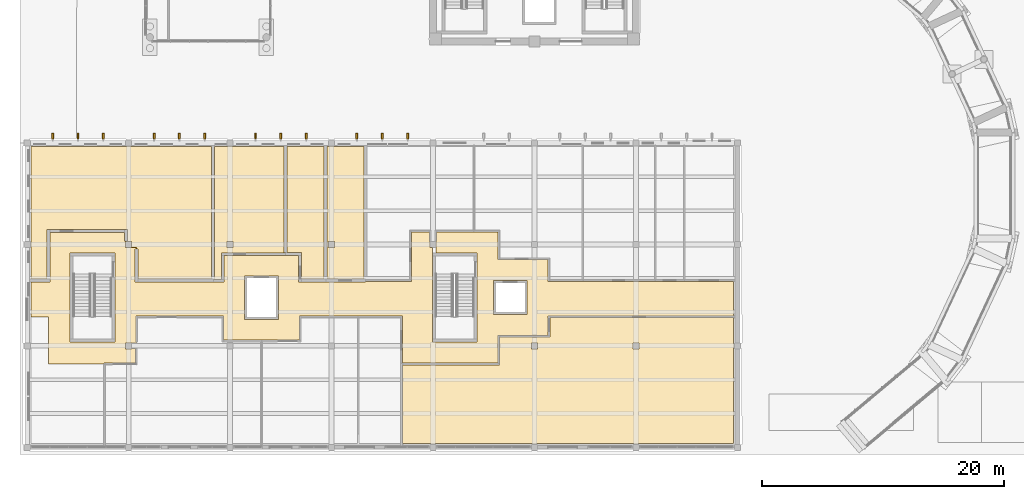
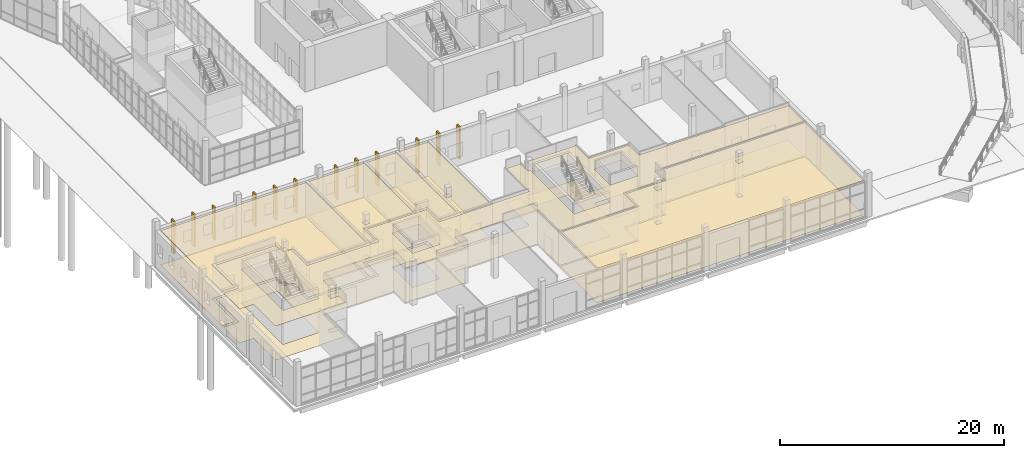
# One storey, part 79 of 110: 24 coverings.
"""IFC4 building model written with IfcOpenShell, lengths in metres."""

from ifc_helpers import new_model, si_unit, direction, frame, origin, place, context, subcontext, project, spatial, polyline, outline, extrude, material, layer, layer_set, type_object, element, save


model = new_model("IFC4")

# Units and contexts
model_context = context("Model", 3, precision=1e-05, world=origin(), true_north=direction((0.0, 1.0)))
body_context = subcontext(model_context, "Body", "Model", "MODEL_VIEW")
ifc_project = project(units=[si_unit("LENGTHUNIT", "METRE"), si_unit("AREAUNIT", "SQUARE_METRE"), si_unit("VOLUMEUNIT", "CUBIC_METRE"), si_unit("PLANEANGLEUNIT", "RADIAN"), si_unit("MASSUNIT", "GRAM", prefix="KILO")], contexts=[model_context])

# Site, building, storey
site_placement = place(None, origin())
site = spatial("IfcSite", under=ifc_project, at=site_placement, CompositionType="ELEMENT")
building_placement = place(site_placement, origin())
building = spatial("IfcBuilding", under=site, at=building_placement, Name="Larchfold Concert Hall", CompositionType="ELEMENT")
storey_placement = place(building_placement, origin())
storey = spatial("IfcBuildingStorey", under=building, at=storey_placement, Name="L00", CompositionType="ELEMENT", Elevation=0.0)

# Coverings
ifc_material_1 = material(Name="Mineral fibre ceiling tile")
ifc_layer_1 = layer(ifc_material_1, 0.02001953125)
ifc_layer_set_1 = layer_set([ifc_layer_1], Name="Mineral fibre ceiling tile")
covering_type_1 = type_object("IfcCoveringType", Name="Ceiling mineral fibre tile 20", PredefinedType="CEILING", material=ifc_layer_set_1)
covering_1_placement = place(storey_placement, frame((0.0, 0.0, 3.719970703125)))
element("IfcCovering", 1, at=covering_1_placement, inside=storey, type_object=covering_type_1, Name="Ceiling Bicycle Store", PredefinedType="CEILING", context=body_context, shape_type="SweptSolid", body=[
    extrude(outline(polyline([(39.72509765625, 7.425048828125), (31.675048828125, 7.425048828125), (31.675048828125, 0.900146484375), (59.099853515625, 0.900146484375), (59.099853515625, 11.324951171875), (43.875, 11.324951171875), (43.875, 9.72509765625), (39.72509765625, 9.72509765625), (39.724853515625, 9.800048828125), (39.72509765625, 7.425048828125)]), holes=[polyline([(50.75, 9.25), (51.25, 9.25), (51.25, 8.75), (50.75, 8.75), (50.75, 9.25)]), polyline([(42.85009765625, 8.75), (42.35009765625, 8.75), (42.35009765625, 9.25), (42.85009765625, 9.25), (42.85009765625, 8.75)])]), origin(), (0.0, 0.0, 1.0), 0.02001953125),
])
covering_2_placement = place(storey_placement, frame((0.0, 0.0, 3.719970703125)))
element("IfcCovering", 2, at=covering_2_placement, inside=storey, type_object=covering_type_1, Name="Ceiling Escape Corridor 09", PredefinedType="CEILING", context=body_context, shape_type="SweptSolid", body=[
    extrude(outline(polyline([(8.635009765625, 18.487548828125), (8.635009765625, 18.3740234375), (2.47607421875, 18.3740234375), (2.47607421875, 14.27490234375), (0.900146484375, 14.27490234375), (0.900146484375, 11.39990234375), (2.350830078125, 11.400390625), (2.350830078125, 7.5009765625), (6.9375, 7.5009765625), (6.9375, 7.5625), (9.556396484375, 7.5625), (9.556396484375, 8.76123046875), (9.25, 8.765625), (9.25, 8.75), (8.75, 8.75), (8.75, 9.25), (9.25, 9.25), (9.25, 9.239990234375), (9.649658203125, 9.239990234375), (9.649658203125, 9.33251953125), (9.58740234375, 9.33251953125), (9.58740234375, 11.46240234375), (16.862548828125, 11.46240234375), (16.862548828125, 9.46240234375), (23.137451171875, 9.46240234375), (23.137451171875, 11.46240234375), (31.66259765625, 11.46240234375), (31.66259765625, 7.574951171875), (39.574951171875, 7.574951171875), (39.574951171875, 9.875), (39.724853515625, 9.875), (39.724853515625, 9.80078125), (39.72509765625, 9.875), (43.72509765625, 9.875), (43.72509765625, 11.47509765625), (59.099853515625, 11.474853515625), (59.099853515625, 14.33740234375), (43.737548828125, 14.33642578125), (43.736572265625, 16.136474609375), (39.58642578125, 16.136474609375), (39.58642578125, 18.4365234375), (34.50244140625, 18.4365234375), (34.50244140625, 18.46240234375), (34.50048828125, 17.669677734375), (34.4375, 17.669921875), (34.4375, 17.64990234375), (34.449951171875, 17.64990234375), (34.449951171875, 17.14990234375), (34.4365234375, 17.14990234375), (34.43994140625, 16.699951171875), (37.85009765625, 16.699951171875), (37.85009765625, 9.300048828125), (34.14990234375, 9.300048828125), (34.14990234375, 16.699951171875), (34.162109375, 17.14990234375), (33.949951171875, 17.14990234375), (33.949951171875, 17.64990234375), (33.8974609375, 17.64990234375), (33.8974609375, 18.4365234375), (32.41357421875, 18.4365234375), (32.41357421875, 18.4990234375), (32.41259765625, 14.33642578125), (28.6201171875, 14.33642578125), (28.6201171875, 14.27392578125), (23.074951171875, 14.27392578125), (23.073974609375, 16.47412109375), (21.97998046875, 16.47412109375), (21.97998046875, 16.4990234375), (16.901123046875, 16.4990234375), (16.90087890625, 14.298828125), (16.02001953125, 14.298828125), (16.02001953125, 14.27392578125), (9.525146484375, 14.27392578125), (9.52392578125, 17.034912109375), (9.6494140625, 17.034912109375), (9.6494140625, 17.159912109375), (9.25, 17.1669921875), (9.25, 17.14990234375), (8.75, 17.14990234375), (8.75, 17.64990234375), (8.763427734375, 17.64990234375), (8.76318359375, 17.669921875), (8.637939453125, 17.66943359375), (8.635009765625, 18.487548828125)]), holes=[polyline([(42.0, 14.39990234375), (42.0, 11.60009765625), (39.199951171875, 11.60009765625), (39.199951171875, 14.39990234375), (42.0, 14.39990234375)]), polyline([(21.39990234375, 11.199951171875), (18.60009765625, 11.199951171875), (18.60009765625, 14.800048828125), (21.39990234375, 14.800048828125), (21.39990234375, 11.199951171875)]), polyline([(7.85009765625, 9.300048828125), (4.14990234375, 9.300048828125), (4.14990234375, 16.699951171875), (7.85009765625, 16.699951171875), (7.85009765625, 9.300048828125)])]), origin(), (0.0, 0.0, 1.0), 0.02001953125),
])
ifc_material_2 = material(Name="Plasterboard ceiling lining")
ifc_layer_2 = layer(ifc_material_2, 0.030029296875)
ifc_layer_set_2 = layer_set([ifc_layer_2], Name="Plasterboard ceiling lining")
covering_type_2 = type_object("IfcCoveringType", Name="Ceiling suspended plasterboard 30", PredefinedType="CEILING", material=ifc_layer_set_2)
covering_3_placement = place(storey_placement, frame((0.0, 0.0, 3.7099609375)))
element("IfcCovering", 3, at=covering_3_placement, inside=storey, type_object=covering_type_2, Name="Ceiling Recording Studio", PredefinedType="CEILING", context=body_context, shape_type="SweptSolid", body=[
    extrude(outline(polyline([(8.884521484375, 18.62451171875), (8.887939453125, 17.67041015625), (8.73876953125, 17.669921875), (8.7392578125, 17.620849609375), (8.75, 17.614990234375), (8.75, 17.64990234375), (9.25, 17.64990234375), (9.25, 17.14990234375), (9.2119140625, 17.14990234375), (9.213623046875, 17.1455078125), (9.24853515625, 17.1298828125), (9.6494140625, 17.1298828125), (9.6494140625, 17.034912109375), (9.77392578125, 17.034912109375), (9.775146484375, 14.52392578125), (16.0, 14.52392578125), (15.875, 14.52490234375), (15.875, 25.5), (0.900146484375, 25.5), (0.900146484375, 14.52490234375), (2.22607421875, 14.52490234375), (2.22607421875, 18.6240234375), (8.884521484375, 18.62451171875)])), origin(), (0.0, 0.0, 1.0), 0.030029296875),
])
covering_4_placement = place(storey_placement, frame((0.0, 0.0, 3.7099609375)))
element("IfcCovering", 4, at=covering_4_placement, inside=storey, type_object=covering_type_2, Name="Ceiling Recording Booth 01", PredefinedType="CEILING", context=body_context, shape_type="SweptSolid", body=[
    extrude(outline(polyline([(23.324951171875, 14.39990234375), (23.324951171875, 14.52392578125), (25.300048828125, 14.52392578125), (25.175048828125, 14.52490234375), (25.175048828125, 25.5), (22.125, 25.5), (22.125, 16.72509765625), (22.0, 16.72412109375), (23.323974609375, 16.72412109375), (23.324951171875, 14.39990234375)])), origin(), (0.0, 0.0, 1.0), 0.030029296875),
])
covering_5_placement = place(storey_placement, frame((0.0, 0.0, 3.7099609375)))
element("IfcCovering", 5, at=covering_5_placement, inside=storey, type_object=covering_type_2, Name="Ceiling Recording Booth 02", PredefinedType="CEILING", context=body_context, shape_type="SweptSolid", body=[
    extrude(outline(polyline([(25.300048828125, 14.52490234375), (28.60009765625, 14.52392578125), (28.47509765625, 14.52490234375), (28.47509765625, 25.5), (25.425048828125, 25.5), (25.425048828125, 14.52490234375), (25.300048828125, 14.52490234375)]), holes=[polyline([(25.550048828125, 17.14990234375), (25.550048828125, 17.64990234375), (26.050048828125, 17.64990234375), (26.050048828125, 17.14990234375), (25.550048828125, 17.14990234375)])]), origin(), (0.0, 0.0, 1.0), 0.030029296875),
])
covering_6_placement = place(storey_placement, frame((0.0, 0.0, 3.7099609375)))
element("IfcCovering", 6, at=covering_6_placement, inside=storey, type_object=covering_type_2, Name="Ceiling Recording Control Room", PredefinedType="CEILING", context=body_context, shape_type="SweptSolid", body=[
    extrude(outline(polyline([(16.0, 14.52490234375), (16.02001953125, 14.52392578125), (16.02001953125, 14.4990234375), (16.700927734375, 14.4990234375), (16.700927734375, 16.69921875), (21.97998046875, 16.69921875), (21.97998046875, 16.72412109375), (22.0, 16.72412109375), (21.875, 16.72509765625), (21.875, 25.5), (16.125, 25.5), (16.125, 14.52490234375), (16.0, 14.52490234375)]), holes=[polyline([(17.64990234375, 17.64990234375), (17.64990234375, 17.14990234375), (17.14990234375, 17.14990234375), (17.14990234375, 17.64990234375), (17.64990234375, 17.64990234375)])]), origin(), (0.0, 0.0, 1.0), 0.030029296875),
])
ifc_material_3 = material(Name="Linoleum sheet")
ifc_layer_3 = layer(ifc_material_3, 0.02001953125)
ifc_layer_set_3 = layer_set([ifc_layer_3], Name="Linoleum sheet")
covering_type_3 = type_object("IfcCoveringType", Name="Floor finish vinyl 20", PredefinedType="FLOORING", material=ifc_layer_set_3)
covering_7_placement = place(storey_placement, origin())
element("IfcCovering", 7, at=covering_7_placement, inside=storey, type_object=covering_type_3, Name="Floor finish Bicycle Store", PredefinedType="FLOORING", context=body_context, shape_type="SweptSolid", body=[
    extrude(outline(polyline([(39.72509765625, 7.425048828125), (31.675048828125, 7.425048828125), (31.675048828125, 0.900146484375), (59.099853515625, 0.900146484375), (59.099853515625, 11.324951171875), (43.875, 11.324951171875), (43.875, 9.72509765625), (39.72509765625, 9.72509765625), (39.724853515625, 9.800048828125), (39.72509765625, 7.425048828125)]), holes=[polyline([(50.75, 9.25), (51.25, 9.25), (51.25, 8.75), (50.75, 8.75), (50.75, 9.25)]), polyline([(42.85009765625, 8.75), (42.35009765625, 8.75), (42.35009765625, 9.25), (42.85009765625, 9.25), (42.85009765625, 8.75)])]), origin(), (0.0, 0.0, 1.0), 0.02001953125),
])
covering_8_placement = place(storey_placement, origin())
element("IfcCovering", 8, at=covering_8_placement, inside=storey, type_object=covering_type_3, Name="Floor finish Escape Corridor 09", PredefinedType="FLOORING", context=body_context, shape_type="SweptSolid", body=[
    extrude(outline(polyline([(8.635009765625, 18.487548828125), (8.635009765625, 18.3740234375), (2.47607421875, 18.3740234375), (2.47607421875, 14.27490234375), (0.900146484375, 14.27490234375), (0.900146484375, 11.39990234375), (2.350830078125, 11.400390625), (2.350830078125, 7.5009765625), (6.9375, 7.5009765625), (6.9375, 7.5625), (9.556396484375, 7.5625), (9.556396484375, 8.76123046875), (9.25, 8.765625), (9.25, 8.75), (8.75, 8.75), (8.75, 9.25), (9.25, 9.25), (9.25, 9.239990234375), (9.649658203125, 9.239990234375), (9.649658203125, 9.33251953125), (9.58740234375, 9.33251953125), (9.58740234375, 11.46240234375), (16.862548828125, 11.46240234375), (16.862548828125, 9.46240234375), (23.137451171875, 9.46240234375), (23.137451171875, 11.46240234375), (31.66259765625, 11.46240234375), (31.66259765625, 7.574951171875), (39.574951171875, 7.574951171875), (39.574951171875, 9.875), (39.724853515625, 9.875), (39.724853515625, 9.80078125), (39.72509765625, 9.875), (43.72509765625, 9.875), (43.72509765625, 11.47509765625), (59.099853515625, 11.474853515625), (59.099853515625, 14.33740234375), (43.737548828125, 14.33642578125), (43.736572265625, 16.136474609375), (39.58642578125, 16.136474609375), (39.58642578125, 18.4365234375), (34.50244140625, 18.4365234375), (34.50244140625, 18.46240234375), (34.50048828125, 17.669677734375), (34.4375, 17.669921875), (34.4375, 17.64990234375), (34.449951171875, 17.64990234375), (34.449951171875, 17.14990234375), (34.4365234375, 17.14990234375), (34.43994140625, 16.699951171875), (37.85009765625, 16.699951171875), (37.85009765625, 9.300048828125), (34.14990234375, 9.300048828125), (34.14990234375, 16.699951171875), (34.162109375, 17.14990234375), (33.949951171875, 17.14990234375), (33.949951171875, 17.64990234375), (33.8974609375, 17.64990234375), (33.8974609375, 18.4365234375), (32.41357421875, 18.4365234375), (32.41357421875, 18.4990234375), (32.41259765625, 14.33642578125), (28.6201171875, 14.33642578125), (28.6201171875, 14.27392578125), (23.074951171875, 14.27392578125), (23.073974609375, 16.47412109375), (21.97998046875, 16.47412109375), (21.97998046875, 16.4990234375), (16.901123046875, 16.4990234375), (16.90087890625, 14.298828125), (16.02001953125, 14.298828125), (16.02001953125, 14.27392578125), (9.525146484375, 14.27392578125), (9.52392578125, 17.034912109375), (9.6494140625, 17.034912109375), (9.6494140625, 17.159912109375), (9.25, 17.1669921875), (9.25, 17.14990234375), (8.75, 17.14990234375), (8.75, 17.64990234375), (8.763427734375, 17.64990234375), (8.76318359375, 17.669921875), (8.637939453125, 17.66943359375), (8.635009765625, 18.487548828125)]), holes=[polyline([(42.0, 14.39990234375), (42.0, 11.60009765625), (39.199951171875, 11.60009765625), (39.199951171875, 14.39990234375), (42.0, 14.39990234375)]), polyline([(21.39990234375, 11.199951171875), (18.60009765625, 11.199951171875), (18.60009765625, 14.800048828125), (21.39990234375, 14.800048828125), (21.39990234375, 11.199951171875)]), polyline([(7.85009765625, 9.300048828125), (4.14990234375, 9.300048828125), (4.14990234375, 16.699951171875), (7.85009765625, 16.699951171875), (7.85009765625, 9.300048828125)])]), origin(), (0.0, 0.0, 1.0), 0.02001953125),
])
covering_9_placement = place(storey_placement, origin())
element("IfcCovering", 9, at=covering_9_placement, inside=storey, type_object=covering_type_3, Name="Floor finish Recording Studio", PredefinedType="FLOORING", context=body_context, shape_type="SweptSolid", body=[
    extrude(outline(polyline([(8.884521484375, 18.62451171875), (8.887939453125, 17.67041015625), (8.73876953125, 17.669921875), (8.7392578125, 17.620849609375), (8.75, 17.614990234375), (8.75, 17.64990234375), (9.25, 17.64990234375), (9.25, 17.14990234375), (9.2119140625, 17.14990234375), (9.213623046875, 17.1455078125), (9.24853515625, 17.1298828125), (9.6494140625, 17.1298828125), (9.6494140625, 17.034912109375), (9.77392578125, 17.034912109375), (9.775146484375, 14.52392578125), (16.0, 14.52392578125), (15.875, 14.52490234375), (15.875, 25.5), (0.900146484375, 25.5), (0.900146484375, 14.52490234375), (2.22607421875, 14.52490234375), (2.22607421875, 18.6240234375), (8.884521484375, 18.62451171875)])), origin(), (0.0, 0.0, 1.0), 0.02001953125),
])
covering_10_placement = place(storey_placement, origin())
element("IfcCovering", 10, at=covering_10_placement, inside=storey, type_object=covering_type_3, Name="Floor finish Recording Booth 01", PredefinedType="FLOORING", context=body_context, shape_type="SweptSolid", body=[
    extrude(outline(polyline([(23.324951171875, 14.39990234375), (23.324951171875, 14.52392578125), (25.300048828125, 14.52392578125), (25.175048828125, 14.52490234375), (25.175048828125, 25.5), (22.125, 25.5), (22.125, 16.72509765625), (22.0, 16.72412109375), (23.323974609375, 16.72412109375), (23.324951171875, 14.39990234375)])), origin(), (0.0, 0.0, 1.0), 0.02001953125),
])
covering_11_placement = place(storey_placement, origin())
element("IfcCovering", 11, at=covering_11_placement, inside=storey, type_object=covering_type_3, Name="Floor finish Recording Booth 02", PredefinedType="FLOORING", context=body_context, shape_type="SweptSolid", body=[
    extrude(outline(polyline([(25.300048828125, 14.52490234375), (28.60009765625, 14.52392578125), (28.47509765625, 14.52490234375), (28.47509765625, 25.5), (25.425048828125, 25.5), (25.425048828125, 14.52490234375), (25.300048828125, 14.52490234375)]), holes=[polyline([(25.550048828125, 17.14990234375), (25.550048828125, 17.64990234375), (26.050048828125, 17.64990234375), (26.050048828125, 17.14990234375), (25.550048828125, 17.14990234375)])]), origin(), (0.0, 0.0, 1.0), 0.02001953125),
])
covering_12_placement = place(storey_placement, origin())
element("IfcCovering", 12, at=covering_12_placement, inside=storey, type_object=covering_type_3, Name="Floor finish Recording Control Room", PredefinedType="FLOORING", context=body_context, shape_type="SweptSolid", body=[
    extrude(outline(polyline([(16.0, 14.52490234375), (16.02001953125, 14.52392578125), (16.02001953125, 14.4990234375), (16.700927734375, 14.4990234375), (16.700927734375, 16.69921875), (21.97998046875, 16.69921875), (21.97998046875, 16.72412109375), (22.0, 16.72412109375), (21.875, 16.72509765625), (21.875, 25.5), (16.125, 25.5), (16.125, 14.52490234375), (16.0, 14.52490234375)]), holes=[polyline([(17.64990234375, 17.64990234375), (17.64990234375, 17.14990234375), (17.14990234375, 17.14990234375), (17.14990234375, 17.64990234375), (17.64990234375, 17.64990234375)])]), origin(), (0.0, 0.0, 1.0), 0.02001953125),
])
ifc_material_4 = material(Name="Glulam GL30c", Category="wood")
ifc_layer_4 = layer(ifc_material_4, 0.159912109375)
ifc_layer_set_4 = layer_set([ifc_layer_4], Name="Glulam GL30c")
covering_type_4 = type_object("IfcCoveringType", Name="Glulam fin 160x500", PredefinedType="CLADDING", material=ifc_layer_set_4)
covering_13_placement = place(storey_placement, frame((0.0, 0.0, 0.199951171875)))
element("IfcCovering", 13, at=covering_13_placement, inside=storey, type_object=covering_type_4, Name="Glulam fin FN-L00-009", PredefinedType="CLADDING", context=body_context, shape_type="SweptSolid", body=[
    extrude(outline(polyline([(27.97998046875, 26.10009765625), (27.97998046875, 26.60009765625), (27.820068359375, 26.60009765625), (27.820068359375, 26.10009765625), (27.97998046875, 26.10009765625)])), origin(), (0.0, 0.0, 1.0), 3.5400390625),
])
covering_14_placement = place(storey_placement, frame((0.0, 0.0, 0.199951171875)))
element("IfcCovering", 14, at=covering_14_placement, inside=storey, type_object=covering_type_4, Name="Glulam fin FN-L00-010", PredefinedType="CLADDING", context=body_context, shape_type="SweptSolid", body=[
    extrude(outline(polyline([(30.080078125, 26.10009765625), (30.080078125, 26.60009765625), (29.919921875, 26.60009765625), (29.919921875, 26.10009765625), (30.080078125, 26.10009765625)])), origin(), (0.0, 0.0, 1.0), 3.5400390625),
])
covering_15_placement = place(storey_placement, frame((0.0, 0.0, 0.199951171875)))
element("IfcCovering", 15, at=covering_15_placement, inside=storey, type_object=covering_type_4, Name="Glulam fin FN-L00-011", PredefinedType="CLADDING", context=body_context, shape_type="SweptSolid", body=[
    extrude(outline(polyline([(32.179931640625, 26.10009765625), (32.179931640625, 26.60009765625), (32.02001953125, 26.60009765625), (32.02001953125, 26.10009765625), (32.179931640625, 26.10009765625)])), origin(), (0.0, 0.0, 1.0), 3.5400390625),
])
covering_16_placement = place(storey_placement, frame((0.0, 0.0, 0.199951171875)))
element("IfcCovering", 16, at=covering_16_placement, inside=storey, type_object=covering_type_4, Name="Glulam fin FN-L00-012", PredefinedType="CLADDING", context=body_context, shape_type="SweptSolid", body=[
    extrude(outline(polyline([(19.580078125, 26.10009765625), (19.580078125, 26.60009765625), (19.419921875, 26.60009765625), (19.419921875, 26.10009765625), (19.580078125, 26.10009765625)])), origin(), (0.0, 0.0, 1.0), 3.5400390625),
])
covering_17_placement = place(storey_placement, frame((0.0, 0.0, 0.199951171875)))
element("IfcCovering", 17, at=covering_17_placement, inside=storey, type_object=covering_type_4, Name="Glulam fin FN-L00-013", PredefinedType="CLADDING", context=body_context, shape_type="SweptSolid", body=[
    extrude(outline(polyline([(21.679931640625, 26.10009765625), (21.679931640625, 26.60009765625), (21.52001953125, 26.60009765625), (21.52001953125, 26.10009765625), (21.679931640625, 26.10009765625)])), origin(), (0.0, 0.0, 1.0), 3.5400390625),
])
covering_18_placement = place(storey_placement, frame((0.0, 0.0, 0.199951171875)))
element("IfcCovering", 18, at=covering_18_placement, inside=storey, type_object=covering_type_4, Name="Glulam fin FN-L00-014", PredefinedType="CLADDING", context=body_context, shape_type="SweptSolid", body=[
    extrude(outline(polyline([(23.780029296875, 26.10009765625), (23.780029296875, 26.60009765625), (23.6201171875, 26.60009765625), (23.6201171875, 26.10009765625), (23.780029296875, 26.10009765625)])), origin(), (0.0, 0.0, 1.0), 3.5400390625),
])
covering_19_placement = place(storey_placement, frame((0.0, 0.0, 0.199951171875)))
element("IfcCovering", 19, at=covering_19_placement, inside=storey, type_object=covering_type_4, Name="Glulam fin FN-L00-015", PredefinedType="CLADDING", context=body_context, shape_type="SweptSolid", body=[
    extrude(outline(polyline([(11.179931640625, 26.10009765625), (11.179931640625, 26.60009765625), (11.02001953125, 26.60009765625), (11.02001953125, 26.10009765625), (11.179931640625, 26.10009765625)])), origin(), (0.0, 0.0, 1.0), 3.5400390625),
])
covering_20_placement = place(storey_placement, frame((0.0, 0.0, 0.199951171875)))
element("IfcCovering", 20, at=covering_20_placement, inside=storey, type_object=covering_type_4, Name="Glulam fin FN-L00-016", PredefinedType="CLADDING", context=body_context, shape_type="SweptSolid", body=[
    extrude(outline(polyline([(13.280029296875, 26.10009765625), (13.280029296875, 26.60009765625), (13.1201171875, 26.60009765625), (13.1201171875, 26.10009765625), (13.280029296875, 26.10009765625)])), origin(), (0.0, 0.0, 1.0), 3.5400390625),
])
covering_21_placement = place(storey_placement, frame((0.0, 0.0, 0.199951171875)))
element("IfcCovering", 21, at=covering_21_placement, inside=storey, type_object=covering_type_4, Name="Glulam fin FN-L00-017", PredefinedType="CLADDING", context=body_context, shape_type="SweptSolid", body=[
    extrude(outline(polyline([(15.3798828125, 26.10009765625), (15.3798828125, 26.60009765625), (15.219970703125, 26.60009765625), (15.219970703125, 26.10009765625), (15.3798828125, 26.10009765625)])), origin(), (0.0, 0.0, 1.0), 3.5400390625),
])
covering_22_placement = place(storey_placement, frame((0.0, 0.0, 0.199951171875)))
element("IfcCovering", 22, at=covering_22_placement, inside=storey, type_object=covering_type_4, Name="Glulam fin FN-L00-018", PredefinedType="CLADDING", context=body_context, shape_type="SweptSolid", body=[
    extrude(outline(polyline([(2.780029296875, 26.10009765625), (2.780029296875, 26.60009765625), (2.6201171875, 26.60009765625), (2.6201171875, 26.10009765625), (2.780029296875, 26.10009765625)])), origin(), (0.0, 0.0, 1.0), 3.5400390625),
])
covering_23_placement = place(storey_placement, frame((0.0, 0.0, 0.199951171875)))
element("IfcCovering", 23, at=covering_23_placement, inside=storey, type_object=covering_type_4, Name="Glulam fin FN-L00-019", PredefinedType="CLADDING", context=body_context, shape_type="SweptSolid", body=[
    extrude(outline(polyline([(4.8798828125, 26.10009765625), (4.8798828125, 26.60009765625), (4.719970703125, 26.60009765625), (4.719970703125, 26.10009765625), (4.8798828125, 26.10009765625)])), origin(), (0.0, 0.0, 1.0), 3.5400390625),
])
covering_24_placement = place(storey_placement, frame((0.0, 0.0, 0.199951171875)))
element("IfcCovering", 24, at=covering_24_placement, inside=storey, type_object=covering_type_4, Name="Glulam fin FN-L00-020", PredefinedType="CLADDING", context=body_context, shape_type="SweptSolid", body=[
    extrude(outline(polyline([(6.97998046875, 26.10009765625), (6.97998046875, 26.60009765625), (6.820068359375, 26.60009765625), (6.820068359375, 26.10009765625), (6.97998046875, 26.10009765625)])), origin(), (0.0, 0.0, 1.0), 3.5400390625),
])

save(model, "model.ifc")
